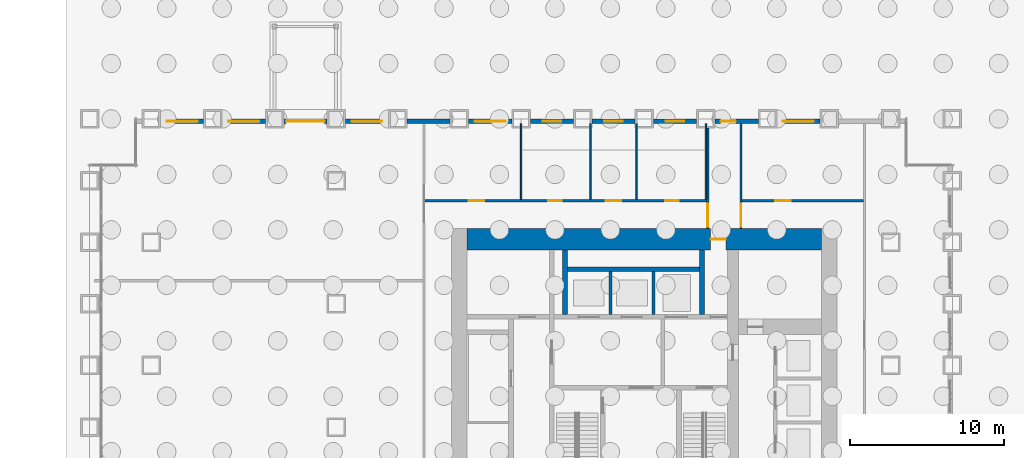
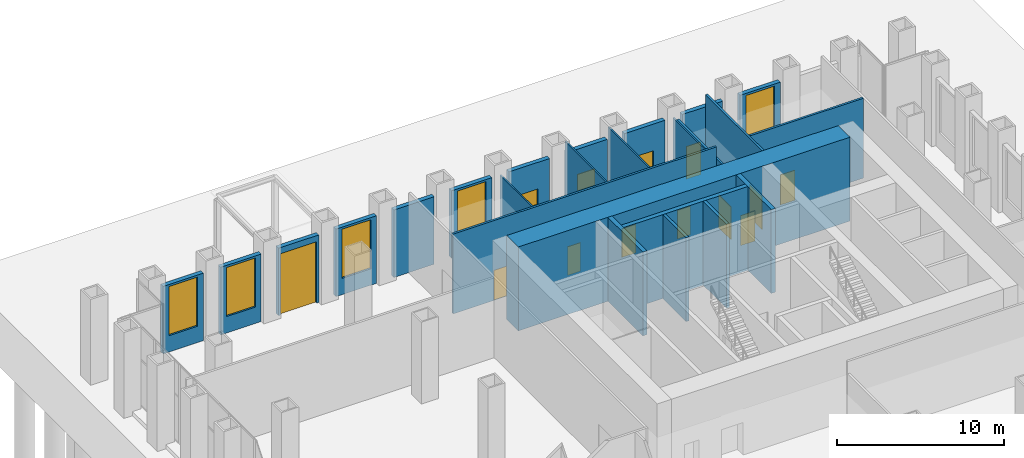
# One storey, part 14 of 17: 25 walls, 10 doors, 8 windows, 18 openings.
"""IFC4 building model written with IfcOpenShell, lengths in metres."""

import ifcopenshell
import ifcopenshell.guid

model = None  # the IFC model being written
_history = None  # IfcOwnerHistory: only IFC2X3 demands one
_inside = {}  # id of a spatial element -> (the spatial element, [elements in it])
_under = {}  # id of a project, library or spatial element -> (it, [spatial elements below it])
_declared = {}  # id of a project -> (the project, [libraries it declares])
_typed = {}  # id of a type object -> (the type object, [elements of that type])
_made_of = {}  # id of a material, layer set ... -> (it, [elements and type objects made of it])


def new_model(schema):
    """Start an empty IFC model of exactly this schema.

    Asked for "IFC4X3", IfcOpenShell would pick the latest addendum, in which some entities
    have other attributes; the version numbers below select the first issue.
    IFC2X3 requires an IfcOwnerHistory on every rooted entity: one is made here for all.
    """
    global model, _history
    if schema == "IFC4X3":
        model = ifcopenshell.file(schema_version=(4, 3, 0, 0))
    else:
        model = ifcopenshell.file(schema=schema)
    _inside.clear()
    _under.clear()
    _declared.clear()
    _typed.clear()
    _made_of.clear()
    _history = None
    if model.schema == "IFC2X3":
        org = make("IfcOrganization", Name="unknown")
        user = make(
            "IfcPersonAndOrganization",
            ThePerson=make("IfcPerson", FamilyName="unknown"),
            TheOrganization=org,
        )
        app = make(
            "IfcApplication",
            ApplicationDeveloper=org,
            Version="unknown",
            ApplicationFullName="unknown",
            ApplicationIdentifier="unknown",
        )
        _history = make(
            "IfcOwnerHistory",
            OwningUser=user,
            OwningApplication=app,
            ChangeAction="ADDED",
            CreationDate=0,
        )
    return model


def make(cls, **values):
    """One entity of the class cls with the attributes given. An attribute that is None is left unset."""
    return model.create_entity(
        cls, **{name: value for name, value in values.items() if value is not None}
    )


def rooted(cls, **values):
    """An entity with a GlobalId (a new one), such as an element, a storey or a relation."""
    return make(cls, GlobalId=ifcopenshell.guid.new(), OwnerHistory=_history, **values)


def si_unit(unit_type, name, prefix=None):
    """IfcSIUnit, for example si_unit("LENGTHUNIT", "METRE", prefix="MILLI")."""
    return make("IfcSIUnit", UnitType=unit_type, Prefix=prefix, Name=name)


def assignment(units):
    """IfcUnitAssignment: the units of a project."""
    return None if units is None else make("IfcUnitAssignment", Units=units)


def point(xyz):
    """IfcCartesianPoint."""
    return None if xyz is None else make("IfcCartesianPoint", Coordinates=xyz)


def direction(xyz):
    """IfcDirection."""
    return None if xyz is None else make("IfcDirection", DirectionRatios=xyz)


def frame(location, z_axis=None, x_axis=None):
    """IfcAxis2Placement3D, a coordinate frame: its origin and axes. An axis left out is left unset."""
    return make(
        "IfcAxis2Placement3D",
        Location=point(location),
        Axis=direction(z_axis),
        RefDirection=direction(x_axis),
    )


def frame_2d(location, x_axis=None):
    """IfcAxis2Placement2D, a coordinate frame in the plane: its origin and x axis."""
    return make(
        "IfcAxis2Placement2D", Location=point(location), RefDirection=direction(x_axis)
    )


def origin():
    """The frame at (0, 0, 0) with its axes left unset."""
    return frame((0.0, 0.0, 0.0))


def place(relative_to, where):
    """IfcLocalPlacement: puts the frame where relative to a parent placement (None: the world)."""
    return make(
        "IfcLocalPlacement", PlacementRelTo=relative_to, RelativePlacement=where
    )


def context(
    kind, dimensions, precision=None, world=None, true_north=None, identifier=None
):
    """IfcGeometricRepresentationContext, for example the 3D "Model" context."""
    return make(
        "IfcGeometricRepresentationContext",
        ContextIdentifier=identifier,
        ContextType=kind,
        CoordinateSpaceDimension=dimensions,
        Precision=precision,
        WorldCoordinateSystem=world,
        TrueNorth=true_north,
    )


def subcontext(parent, identifier, kind, view, scale=None):
    """IfcGeometricRepresentationSubContext, for example "Body" below "Model"."""
    return make(
        "IfcGeometricRepresentationSubContext",
        ContextIdentifier=identifier,
        ContextType=kind,
        ParentContext=parent,
        TargetScale=scale,
        TargetView=view,
    )


def project(units=None, contexts=None):
    """IfcProject with its units and contexts."""
    return rooted(
        "IfcProject",
        Name="project",
        RepresentationContexts=contexts,
        UnitsInContext=assignment(units),
    )


def spatial(cls, under=None, at=None, **own):
    """A site, building, storey or space (cls), placed at a placement, below another one or the project."""
    s = rooted(cls, ObjectPlacement=at, **own)
    if under is not None:
        _under.setdefault(under.id(), (under, []))[1].append(s)
    return s


def profile(cls, at=None, kind="AREA", **sizes):
    """A parametric profile (cls). Its sizes go by their IFC names, for example OverallWidth=200.0."""
    return make(cls, ProfileType=kind, Position=at, **sizes)


def rectangle(**sizes):
    """IfcRectangleProfileDef."""
    return profile("IfcRectangleProfileDef", **sizes)


def extrude(swept, where, along, depth):
    """IfcExtrudedAreaSolid: the profile swept, set in the frame where, extruded along a direction by depth."""
    return make(
        "IfcExtrudedAreaSolid",
        SweptArea=swept,
        Position=where,
        ExtrudedDirection=direction(along),
        Depth=depth,
    )


def shape(context_of_items, identifier, shape_type, items):
    """IfcShapeRepresentation: the items that make up one representation, for example the "Body"."""
    return make(
        "IfcShapeRepresentation",
        ContextOfItems=context_of_items,
        RepresentationIdentifier=identifier,
        RepresentationType=shape_type,
        Items=items,
    )


def material(Name=None, Category=None):
    """IfcMaterial."""
    return make("IfcMaterial", Name=Name, Category=Category)


def layer(
    of_material, thickness, ventilated=None, Name=None, Category=None, Priority=None
):
    """IfcMaterialLayer: one layer of a wall or slab, of a material (None: an air gap)."""
    return make(
        "IfcMaterialLayer",
        Material=of_material,
        LayerThickness=thickness,
        IsVentilated=ventilated,
        Name=Name,
        Category=Category,
        Priority=Priority,
    )


def layer_set(layers, Name=None):
    """IfcMaterialLayerSet."""
    return make("IfcMaterialLayerSet", MaterialLayers=layers, LayerSetName=Name)


def made_of(thing, what):
    """Note that an element or type object is made of a material, layer set ...; save() writes the relation."""
    if what is not None:
        _made_of.setdefault(what.id(), (what, []))[1].append(thing)
    return thing


def type_object(cls, material=None, **own):
    """A type object (cls), such as IfcWallType, which elements share."""
    return made_of(rooted(cls, **own), material)


def element(
    cls,
    number,
    at=None,
    inside=None,
    cuts=None,
    type_object=None,
    material=None,
    context=None,
    identifier="Body",
    shape_type=None,
    held_by="IfcProductDefinitionShape",
    body=None,
    shapes=None,
    **own,
):
    """One element of the class cls, such as IfcWall. Its Tag is "e" and its number.

    at: its placement. inside: the storey or other place that contains it. cuts: it is an
    opening in that element (IfcRelVoidsElement). A single representation is given by context,
    identifier, shape_type and body (its items); several are given by shapes. held_by: the class
    of the entity that holds the representations. save() writes the other relations.
    """
    e = rooted(cls, Tag="e%d" % number, ObjectPlacement=at, **own)
    if body is not None:
        shapes = [shape(context, identifier, shape_type, body)]
    if shapes is not None:
        e.Representation = make(held_by, Representations=shapes)
    if inside is not None:
        _inside.setdefault(inside.id(), (inside, []))[1].append(e)
    if cuts is not None:
        rooted(
            "IfcRelVoidsElement", RelatingBuildingElement=cuts, RelatedOpeningElement=e
        )
    if type_object is not None:
        _typed.setdefault(type_object.id(), (type_object, []))[1].append(e)
    return made_of(e, material)


def fill(opening, filler):
    """IfcRelFillsElement: the door or window that sits in an opening."""
    return rooted(
        "IfcRelFillsElement",
        RelatingOpeningElement=opening,
        RelatedBuildingElement=filler,
    )


def aggregate(whole, parts):
    """IfcRelAggregates: a whole, such as a stair, and the parts it consists of."""
    return rooted("IfcRelAggregates", RelatingObject=whole, RelatedObjects=parts)


def save(model, path):
    """Write the relations noted so far, then the file.

    IfcRelAggregates (storeys below a building ...), IfcRelContainedInSpatialStructure (elements
    in a storey), IfcRelDefinesByType, IfcRelAssociatesMaterial and IfcRelDeclares: one each for
    every whole, place, type object, material and project.
    """
    for whole, parts in _under.values():
        aggregate(whole, parts)
    for where, things in _inside.values():
        rooted(
            "IfcRelContainedInSpatialStructure",
            RelatedElements=things,
            RelatingStructure=where,
        )
    for kind, things in _typed.values():
        rooted("IfcRelDefinesByType", RelatedObjects=things, RelatingType=kind)
    for what, things in _made_of.values():
        rooted("IfcRelAssociatesMaterial", RelatedObjects=things, RelatingMaterial=what)
    for by, libraries in _declared.values():
        rooted("IfcRelDeclares", RelatingContext=by, RelatedDefinitions=libraries)
    model.write(path)


model = new_model("IFC4")

# Units and contexts
model_context = context("Model", 3, precision=1e-05, world=origin(), true_north=direction((0.0, 1.0)))
body_context = subcontext(model_context, "Body", "Model", "MODEL_VIEW")
ifc_project = project(units=[si_unit("LENGTHUNIT", "METRE"), si_unit("AREAUNIT", "SQUARE_METRE"), si_unit("VOLUMEUNIT", "CUBIC_METRE"), si_unit("PLANEANGLEUNIT", "RADIAN"), si_unit("MASSUNIT", "GRAM", prefix="KILO")], contexts=[model_context])

# Site, building, storey
site_placement = place(None, origin())
site = spatial("IfcSite", under=ifc_project, at=site_placement, CompositionType="ELEMENT")
building_placement = place(site_placement, origin())
building = spatial("IfcBuilding", under=site, at=building_placement, Name="Rimbunsela Tower", CompositionType="ELEMENT")
storey_placement = place(building_placement, origin())
storey = spatial("IfcBuildingStorey", under=building, at=storey_placement, Name="L00", CompositionType="ELEMENT", Elevation=0.0)

# Walls
ifc_material_1 = material(Name="Concrete fc' 80 MPa", Category="concrete")
ifc_layer_1 = layer(ifc_material_1, 0.300048828125)
ifc_layer_set_1 = layer_set([ifc_layer_1], Name="Core internal wall 300")
wall_type_1 = type_object("IfcWallType", Name="Core internal wall 300", PredefinedType="SHEAR", material=ifc_layer_set_1)
for number, where, z_axis, x_axis, name in (
    (1, (24.85009765625, 31.300048828125, -0.300048828125), (0.0, 0.0, 1.0), (0.0, 1.0, 0.0), "Riser wall"),
    (2, (33.75, 31.300048828125, -0.300048828125), (0.0, 0.0, 1.0), (0.0, 1.0, 0.0), "Riser wall"),
):
    element("IfcWall", number, at=place(storey_placement, frame(where, z_axis=z_axis, x_axis=x_axis)), inside=storey, type_object=wall_type_1, Name=name, PredefinedType="SHEAR", context=body_context, shape_type="SweptSolid", body=[
        extrude(rectangle(XDim=4.199951171875, YDim=0.300048828125, at=frame_2d((2.10009765625, 0.0))), origin(), (0.0, 0.0, 1.0), 6.150146484375),
    ])
wall_1_placement = place(storey_placement, frame((25.0, 34.25, -0.300048828125), z_axis=(0.0, 0.0, 1.0), x_axis=(1.0, 0.0, 0.0)))
element("IfcWall", 3, at=wall_1_placement, inside=storey, type_object=wall_type_1, Name="Lift shaft rear north", PredefinedType="SHEAR", context=body_context, shape_type="SweptSolid", body=[
    extrude(rectangle(XDim=8.60009765625, YDim=0.300048828125, at=frame_2d((4.300048828125, 0.0))), origin(), (0.0, 0.0, 1.0), 6.150146484375),
])

# Wall, opening, door
ifc_material_2 = material(Name="Concrete fc' 80 MPa", Category="concrete")
ifc_layer_2 = layer(ifc_material_2, 1.39990234375)
ifc_layer_set_2 = layer_set([ifc_layer_2], Name="Core wall 1400")
wall_type_2 = type_object("IfcWallType", Name="Core wall 1400", PredefinedType="SHEAR", material=ifc_layer_set_2)
wall_2_placement = place(storey_placement, frame((18.5, 36.199951171875, -0.300048828125), z_axis=(0.0, 0.0, 1.0), x_axis=(1.0, 0.0, 0.0)))
wall_2 = element("IfcWall", 4, at=wall_2_placement, inside=storey, type_object=wall_type_2, Name="Core wall north", PredefinedType="SHEAR", context=body_context, shape_type="SweptSolid", body=[
    extrude(rectangle(XDim=23.0, YDim=1.39990234375, at=frame_2d((11.5, 0.0))), origin(), (0.0, 0.0, 1.0), 6.150146484375),
])
opening_1_placement = place(wall_2_placement, frame((15.800048828125, 0.0, 0.300048828125)))
opening_1 = element("IfcOpeningElement", 5, at=opening_1_placement, cuts=wall_2, Name="Opening D01", PredefinedType="OPENING", context=body_context, shape_type="SweptSolid", body=[
    extrude(rectangle(XDim=1.0, YDim=2.199951171875, at=frame_2d((0.5, 1.10009765625))), frame((0.0, 0.7099609375, 0.0), z_axis=(0.0, -1.0, 0.0), x_axis=(1.0, 0.0, 0.0)), (0.0, 0.0, 1.0), 1.419921875),
])
ifc_material_3 = material(Name="Steel door, fire rated", Category="steel")
door_type_1 = type_object("IfcDoorType", Name="Stair door 1000", OperationType="SINGLE_SWING_RIGHT", PredefinedType="DOOR", material=ifc_material_3)
door_1_placement = place(opening_1_placement, origin())
door_1 = element("IfcDoor", 6, at=door_1_placement, inside=storey, type_object=door_type_1, Name="Exit passage door", OperationType="SINGLE_SWING_RIGHT", OverallHeight=2.199951171875, OverallWidth=1.0, PredefinedType="DOOR", context=body_context, shape_type="SweptSolid", body=[
    extrude(rectangle(XDim=1.0, YDim=2.199951171875, at=frame_2d((0.5, 1.10009765625))), frame((0.0, 0.02490234375, 0.0), z_axis=(0.0, -1.0, 0.0), x_axis=(1.0, 0.0, 0.0)), (0.0, 0.0, 1.0), 0.050048828125),
])
fill(opening_1, door_1)

# Wall, openings, doors
ifc_material_4 = material(Name="Gypsum board on steel studs", Category="steel")
ifc_layer_3 = layer(ifc_material_4, 0.14990234375)
ifc_layer_set_3 = layer_set([ifc_layer_3], Name="Corridor partition 150")
wall_type_3 = type_object("IfcWallType", Name="Corridor partition 150", PredefinedType="PARTITIONING", material=ifc_layer_set_3)
wall_3_placement = place(storey_placement, frame((15.77490234375, 38.699951171875, 0.0), z_axis=(0.0, 0.0, 1.0), x_axis=(1.0, 0.0, 0.0)))
wall_3 = element("IfcWall", 7, at=wall_3_placement, inside=storey, type_object=wall_type_3, Name="Lobby wall north", PredefinedType="PARTITIONING", context=body_context, shape_type="SweptSolid", body=[
    extrude(rectangle(XDim=18.275146484375, YDim=0.14990234375, at=frame_2d((9.1376953125, 0.0))), origin(), (0.0, 0.0, 1.0), 5.85009765625),
])
opening_2_placement = place(wall_3_placement, frame((2.824951171875, 0.0, 0.0)))
opening_2 = element("IfcOpeningElement", 8, at=opening_2_placement, cuts=wall_3, Name="Opening D06", PredefinedType="OPENING", context=body_context, shape_type="SweptSolid", body=[
    extrude(rectangle(XDim=1.0, YDim=2.199951171875, at=frame_2d((0.5, 1.10009765625))), frame((0.0, 0.0849609375, 0.0), z_axis=(0.0, -1.0, 0.0), x_axis=(1.0, 0.0, 0.0)), (0.0, 0.0, 1.0), 0.169921875),
])
opening_3_placement = place(wall_3_placement, frame((7.97509765625, 0.0, 0.0)))
opening_3 = element("IfcOpeningElement", 9, at=opening_3_placement, cuts=wall_3, Name="Opening D04", PredefinedType="OPENING", context=body_context, shape_type="SweptSolid", body=[
    extrude(rectangle(XDim=0.89990234375, YDim=2.10009765625, at=frame_2d((0.449951171875, 1.050048828125))), frame((0.0, 0.0849609375, 0.0), z_axis=(0.0, -1.0, 0.0), x_axis=(1.0, 0.0, 0.0)), (0.0, 0.0, 1.0), 0.169921875),
])
opening_4_placement = place(wall_3_placement, frame((11.72509765625, 0.0, 0.0)))
opening_4 = element("IfcOpeningElement", 10, at=opening_4_placement, cuts=wall_3, Name="Opening D05", PredefinedType="OPENING", context=body_context, shape_type="SweptSolid", body=[
    extrude(rectangle(XDim=1.0, YDim=2.10009765625, at=frame_2d((0.5, 1.050048828125))), frame((0.0, 0.0849609375, 0.0), z_axis=(0.0, -1.0, 0.0), x_axis=(1.0, 0.0, 0.0)), (0.0, 0.0, 1.0), 0.169921875),
])
opening_5_placement = place(wall_3_placement, frame((15.574951171875, 0.0, 0.0)))
opening_5 = element("IfcOpeningElement", 11, at=opening_5_placement, cuts=wall_3, Name="Opening D04", PredefinedType="OPENING", context=body_context, shape_type="SweptSolid", body=[
    extrude(rectangle(XDim=0.89990234375, YDim=2.10009765625, at=frame_2d((0.449951171875, 1.050048828125))), frame((0.0, 0.0849609375, 0.0), z_axis=(0.0, -1.0, 0.0), x_axis=(1.0, 0.0, 0.0)), (0.0, 0.0, 1.0), 0.169921875),
])
ifc_material_5 = material(Name="Timber door", Category="wood")
door_type_2 = type_object("IfcDoorType", Name="Accessible WC door 1000", OperationType="SLIDING_TO_LEFT", PredefinedType="DOOR", material=ifc_material_5)
door_2_placement = place(opening_4_placement, origin())
door_2 = element("IfcDoor", 12, at=door_2_placement, inside=storey, type_object=door_type_2, Name="Accessible WC door", OperationType="SLIDING_TO_LEFT", OverallHeight=2.10009765625, OverallWidth=1.0, PredefinedType="DOOR", context=body_context, shape_type="SweptSolid", body=[
    extrude(rectangle(XDim=1.0, YDim=2.10009765625, at=frame_2d((0.5, 1.050048828125))), frame((0.0, 0.02490234375, 0.0), z_axis=(0.0, -1.0, 0.0), x_axis=(1.0, 0.0, 0.0)), (0.0, 0.0, 1.0), 0.050048828125),
])
fill(opening_4, door_2)
ifc_material_6 = material(Name="Timber door", Category="wood")
door_type_3 = type_object("IfcDoorType", Name="Room door 1000", OperationType="SINGLE_SWING_LEFT", PredefinedType="DOOR", material=ifc_material_6)
door_3_placement = place(opening_2_placement, origin())
door_3 = element("IfcDoor", 13, at=door_3_placement, inside=storey, type_object=door_type_3, Name="Mail room door", OperationType="SINGLE_SWING_LEFT", OverallHeight=2.199951171875, OverallWidth=1.0, PredefinedType="DOOR", context=body_context, shape_type="SweptSolid", body=[
    extrude(rectangle(XDim=1.0, YDim=2.199951171875, at=frame_2d((0.5, 1.10009765625))), frame((0.0, 0.02490234375, 0.0), z_axis=(0.0, -1.0, 0.0), x_axis=(1.0, 0.0, 0.0)), (0.0, 0.0, 1.0), 0.050048828125),
])
fill(opening_2, door_3)
ifc_material_7 = material(Name="Timber door", Category="wood")
door_type_4 = type_object("IfcDoorType", Name="Toilet door 900", OperationType="SINGLE_SWING_LEFT", PredefinedType="DOOR", material=ifc_material_7)
door_4_placement = place(opening_3_placement, origin())
door_4 = element("IfcDoor", 14, at=door_4_placement, inside=storey, type_object=door_type_4, Name="Female WC door", OperationType="SINGLE_SWING_LEFT", OverallHeight=2.10009765625, OverallWidth=0.89990234375, PredefinedType="DOOR", context=body_context, shape_type="SweptSolid", body=[
    extrude(rectangle(XDim=0.89990234375, YDim=2.10009765625, at=frame_2d((0.449951171875, 1.050048828125))), frame((0.0, 0.02490234375, 0.0), z_axis=(0.0, -1.0, 0.0), x_axis=(1.0, 0.0, 0.0)), (0.0, 0.0, 1.0), 0.050048828125),
])
fill(opening_3, door_4)
door_5_placement = place(opening_5_placement, origin())
door_5 = element("IfcDoor", 15, at=door_5_placement, inside=storey, type_object=door_type_4, Name="Male WC door", OperationType="SINGLE_SWING_LEFT", OverallHeight=2.10009765625, OverallWidth=0.89990234375, PredefinedType="DOOR", context=body_context, shape_type="SweptSolid", body=[
    extrude(rectangle(XDim=0.89990234375, YDim=2.10009765625, at=frame_2d((0.449951171875, 1.050048828125))), frame((0.0, 0.02490234375, 0.0), z_axis=(0.0, -1.0, 0.0), x_axis=(1.0, 0.0, 0.0)), (0.0, 0.0, 1.0), 0.050048828125),
])
fill(opening_5, door_5)

# Wall, opening, door
wall_4_placement = place(storey_placement, frame((36.35009765625, 38.699951171875, 0.0), z_axis=(0.0, 0.0, 1.0), x_axis=(1.0, 0.0, 0.0)))
wall_4 = element("IfcWall", 16, at=wall_4_placement, inside=storey, type_object=wall_type_3, Name="Lobby wall north", PredefinedType="PARTITIONING", context=body_context, shape_type="SweptSolid", body=[
    extrude(rectangle(XDim=7.875, YDim=0.14990234375, at=frame_2d((3.9375, 0.0))), origin(), (0.0, 0.0, 1.0), 5.85009765625),
])
opening_6_placement = place(wall_4_placement, frame((2.14990234375, 0.0, 0.0)))
opening_6 = element("IfcOpeningElement", 17, at=opening_6_placement, cuts=wall_4, Name="Opening D06", PredefinedType="OPENING", context=body_context, shape_type="SweptSolid", body=[
    extrude(rectangle(XDim=1.0, YDim=2.199951171875, at=frame_2d((0.5, 1.10009765625))), frame((0.0, 0.0849609375, 0.0), z_axis=(0.0, -1.0, 0.0), x_axis=(1.0, 0.0, 0.0)), (0.0, 0.0, 1.0), 0.169921875),
])
door_6_placement = place(opening_6_placement, origin())
door_6 = element("IfcDoor", 18, at=door_6_placement, inside=storey, type_object=door_type_3, Name="Security office door", OperationType="SINGLE_SWING_LEFT", OverallHeight=2.199951171875, OverallWidth=1.0, PredefinedType="DOOR", context=body_context, shape_type="SweptSolid", body=[
    extrude(rectangle(XDim=1.0, YDim=2.199951171875, at=frame_2d((0.5, 1.10009765625))), frame((0.0, 0.02490234375, 0.0), z_axis=(0.0, -1.0, 0.0), x_axis=(1.0, 0.0, 0.0)), (0.0, 0.0, 1.0), 0.050048828125),
])
fill(opening_6, door_6)

wall_5_placement = place(storey_placement, frame((34.125, 36.89990234375, 0.0), z_axis=(0.0, 0.0, 1.0), x_axis=(0.0, 1.0, 0.0)))
wall_5 = element("IfcWall", 19, at=wall_5_placement, inside=storey, type_object=wall_type_3, Name="Exit passage wall", PredefinedType="PARTITIONING", context=body_context, shape_type="SweptSolid", body=[
    extrude(rectangle(XDim=6.5, YDim=0.14990234375, at=frame_2d((3.25, 0.0))), origin(), (0.0, 0.0, 1.0), 4.949951171875),
])
opening_7_placement = place(wall_5_placement, frame((0.112548828125, 0.0, 0.0)))
opening_7 = element("IfcOpeningElement", 20, at=opening_7_placement, cuts=wall_5, Name="Opening D03", PredefinedType="OPENING", context=body_context, shape_type="SweptSolid", body=[
    extrude(rectangle(XDim=1.5, YDim=2.39990234375, at=frame_2d((0.75, 1.199951171875))), frame((0.0, 0.0849609375, 0.0), z_axis=(0.0, -1.0, 0.0), x_axis=(1.0, 0.0, 0.0)), (0.0, 0.0, 1.0), 0.169921875),
])
ifc_material_8 = material(Name="Steel door, fire rated", Category="steel")
door_type_5 = type_object("IfcDoorType", Name="Core lobby door 1500", OperationType="DOUBLE_DOOR_DOUBLE_SWING", PredefinedType="DOOR", material=ifc_material_8)
door_7_placement = place(opening_7_placement, origin())
door_7 = element("IfcDoor", 21, at=door_7_placement, inside=storey, type_object=door_type_5, Name="Exit passage cross door", OperationType="DOUBLE_DOOR_DOUBLE_SWING", OverallHeight=2.39990234375, OverallWidth=1.5, PredefinedType="DOOR", context=body_context, shape_type="SweptSolid", body=[
    extrude(rectangle(XDim=1.5, YDim=2.39990234375, at=frame_2d((0.75, 1.199951171875))), frame((0.0, 0.02490234375, 0.0), z_axis=(0.0, -1.0, 0.0), x_axis=(1.0, 0.0, 0.0)), (0.0, 0.0, 1.0), 0.050048828125),
])
fill(opening_7, door_7)

wall_6_placement = place(storey_placement, frame((36.27490234375, 36.89990234375, 0.0), z_axis=(0.0, 0.0, 1.0), x_axis=(0.0, 1.0, 0.0)))
wall_6 = element("IfcWall", 22, at=wall_6_placement, inside=storey, type_object=wall_type_3, Name="Exit passage wall", PredefinedType="PARTITIONING", context=body_context, shape_type="SweptSolid", body=[
    extrude(rectangle(XDim=6.800048828125, YDim=0.14990234375, at=frame_2d((3.39990234375, 0.0))), origin(), (0.0, 0.0, 1.0), 5.85009765625),
])
opening_8_placement = place(wall_6_placement, frame((0.112548828125, 0.0, 0.0)))
opening_8 = element("IfcOpeningElement", 23, at=opening_8_placement, cuts=wall_6, Name="Opening D03", PredefinedType="OPENING", context=body_context, shape_type="SweptSolid", body=[
    extrude(rectangle(XDim=1.5, YDim=2.39990234375, at=frame_2d((0.75, 1.199951171875))), frame((0.0, 0.0849609375, 0.0), z_axis=(0.0, -1.0, 0.0), x_axis=(1.0, 0.0, 0.0)), (0.0, 0.0, 1.0), 0.169921875),
])
door_8_placement = place(opening_8_placement, origin())
door_8 = element("IfcDoor", 24, at=door_8_placement, inside=storey, type_object=door_type_5, Name="Exit passage cross door", OperationType="DOUBLE_DOOR_DOUBLE_SWING", OverallHeight=2.39990234375, OverallWidth=1.5, PredefinedType="DOOR", context=body_context, shape_type="SweptSolid", body=[
    extrude(rectangle(XDim=1.5, YDim=2.39990234375, at=frame_2d((0.75, 1.199951171875))), frame((0.0, 0.02490234375, 0.0), z_axis=(0.0, -1.0, 0.0), x_axis=(1.0, 0.0, 0.0)), (0.0, 0.0, 1.0), 0.050048828125),
])
fill(opening_8, door_8)

# Walls
ifc_material_9 = material(Name="Concrete blockwork", Category="masonry")
ifc_layer_4 = layer(ifc_material_9, 0.199951171875)
ifc_layer_set_4 = layer_set([ifc_layer_4], Name="Lift shaft wall 200")
wall_type_4 = type_object("IfcWallType", Name="Lift shaft wall 200", PredefinedType="SOLIDWALL", material=ifc_layer_set_4)
for number, where, z_axis, x_axis, name in (
    (25, (27.800048828125, 31.300048828125, -0.300048828125), (0.0, 0.0, 1.0), (0.0, 1.0, 0.0), "Lift shaft separation"),
    (26, (30.60009765625, 31.300048828125, -0.300048828125), (0.0, 0.0, 1.0), (0.0, 1.0, 0.0), "Lift shaft separation"),
):
    element("IfcWall", number, at=place(storey_placement, frame(where, z_axis=z_axis, x_axis=x_axis)), inside=storey, type_object=wall_type_4, Name=name, PredefinedType="SOLIDWALL", context=body_context, shape_type="SweptSolid", body=[
        extrude(rectangle(XDim=2.800048828125, YDim=0.199951171875, at=frame_2d((1.39990234375, 0.0))), origin(), (0.0, 0.0, 1.0), 6.150146484375),
    ])

# Wall, opening, window
ifc_material_10 = material(Name="Precast concrete fc' 35 MPa", Category="concrete")
ifc_layer_5 = layer(ifc_material_10, 0.300048828125)
ifc_layer_set_5 = layer_set([ifc_layer_5], Name="Precast concrete fc' 35 MPa")
wall_type_5 = type_object("IfcWallType", Name="Precast facade panel 300", PredefinedType="ELEMENTEDWALL", material=ifc_layer_set_5)
wall_7_placement = place(storey_placement, frame((1.39990234375, 43.85009765625, 0.0), z_axis=(0.0, 0.0, 1.0), x_axis=(-1.0, 0.0, 0.0)))
wall_7 = element("IfcWall", 27, at=wall_7_placement, inside=storey, type_object=wall_type_5, Name="Facade panel N L00", PredefinedType="ELEMENTEDWALL", context=body_context, shape_type="SweptSolid", body=[
    extrude(rectangle(XDim=2.7998046875, YDim=0.300048828125, at=frame_2d((1.39990234375, 0.0))), origin(), (0.0, 0.0, 1.0), 4.949951171875),
])
opening_9_placement = place(wall_7_placement, frame((0.39990234375, 0.0, 1.199951171875)))
opening_9 = element("IfcOpeningElement", 28, at=opening_9_placement, cuts=wall_7, Name="Opening W2", PredefinedType="OPENING", context=body_context, shape_type="SweptSolid", body=[
    extrude(rectangle(XDim=2.0, YDim=3.60009765625, at=frame_2d((1.0, 1.800048828125))), frame((0.0, 0.159912109375, 0.0), z_axis=(0.0, -1.0, 0.0), x_axis=(1.0, 0.0, 0.0)), (0.0, 0.0, 1.0), 0.320068359375),
])
ifc_material_11 = material(Name="Clear glass in aluminium frame", Category="aluminium")
window_type_1 = type_object("IfcWindowType", Name="Window W2 2000x3600", PartitioningType="SINGLE_PANEL", PredefinedType="WINDOW", material=ifc_material_11)
window_1_placement = place(opening_9_placement, origin())
window_1 = element("IfcWindow", 29, at=window_1_placement, inside=storey, type_object=window_type_1, Name="Window L00", OverallHeight=3.60009765625, OverallWidth=2.0, PartitioningType="SINGLE_PANEL", PredefinedType="WINDOW", context=body_context, shape_type="SweptSolid", body=[
    extrude(rectangle(XDim=2.0, YDim=3.60009765625, at=frame_2d((1.0, 1.800048828125))), frame((0.0, 0.030029296875, 0.0), z_axis=(0.0, -1.0, 0.0), x_axis=(1.0, 0.0, 0.0)), (0.0, 0.0, 1.0), 0.06005859375),
])
fill(opening_9, window_1)

wall_8_placement = place(storey_placement, frame((5.39990234375, 43.85009765625, 0.0), z_axis=(0.0, 0.0, 1.0), x_axis=(-1.0, 0.0, 0.0)))
wall_8 = element("IfcWall", 30, at=wall_8_placement, inside=storey, type_object=wall_type_5, Name="Facade panel N L00", PredefinedType="ELEMENTEDWALL", context=body_context, shape_type="SweptSolid", body=[
    extrude(rectangle(XDim=2.7998046875, YDim=0.300048828125, at=frame_2d((1.39990234375, 0.0))), origin(), (0.0, 0.0, 1.0), 4.949951171875),
])
opening_10_placement = place(wall_8_placement, frame((0.39990234375, 0.0, 1.199951171875)))
opening_10 = element("IfcOpeningElement", 31, at=opening_10_placement, cuts=wall_8, Name="Opening W2", PredefinedType="OPENING", context=body_context, shape_type="SweptSolid", body=[
    extrude(rectangle(XDim=2.0, YDim=3.60009765625, at=frame_2d((1.0, 1.800048828125))), frame((0.0, 0.159912109375, 0.0), z_axis=(0.0, -1.0, 0.0), x_axis=(1.0, 0.0, 0.0)), (0.0, 0.0, 1.0), 0.320068359375),
])
window_2_placement = place(opening_10_placement, origin())
window_2 = element("IfcWindow", 32, at=window_2_placement, inside=storey, type_object=window_type_1, Name="Window L00", OverallHeight=3.60009765625, OverallWidth=2.0, PartitioningType="SINGLE_PANEL", PredefinedType="WINDOW", context=body_context, shape_type="SweptSolid", body=[
    extrude(rectangle(XDim=2.0, YDim=3.60009765625, at=frame_2d((1.0, 1.800048828125))), frame((0.0, 0.030029296875, 0.0), z_axis=(0.0, -1.0, 0.0), x_axis=(1.0, 0.0, 0.0)), (0.0, 0.0, 1.0), 0.06005859375),
])
fill(opening_10, window_2)

# Wall, opening, door
wall_9_placement = place(storey_placement, frame((9.39990234375, 43.85009765625, 0.0), z_axis=(0.0, 0.0, 1.0), x_axis=(-1.0, 0.0, 0.0)))
wall_9 = element("IfcWall", 33, at=wall_9_placement, inside=storey, type_object=wall_type_5, Name="Facade panel N L00", PredefinedType="ELEMENTEDWALL", context=body_context, shape_type="SweptSolid", body=[
    extrude(rectangle(XDim=2.7998046875, YDim=0.300048828125, at=frame_2d((1.39990234375, 0.0))), origin(), (0.0, 0.0, 1.0), 4.949951171875),
])
opening_11_placement = place(wall_9_placement, frame((0.14990234375, 0.0, 0.0)))
opening_11 = element("IfcOpeningElement", 34, at=opening_11_placement, cuts=wall_9, Name="Opening RS1", PredefinedType="OPENING", context=body_context, shape_type="SweptSolid", body=[
    extrude(rectangle(XDim=2.5, YDim=4.5, at=frame_2d((1.25, 2.25))), frame((0.0, 0.159912109375, 0.0), z_axis=(0.0, -1.0, 0.0), x_axis=(1.0, 0.0, 0.0)), (0.0, 0.0, 1.0), 0.320068359375),
])
ifc_material_12 = material(Name="Steel roller shutter", Category="steel")
door_type_6 = type_object("IfcDoorType", Name="Loading shutter 2500", OperationType="USERDEFINED", PredefinedType="DOOR", material=ifc_material_12)
door_9_placement = place(opening_11_placement, origin())
door_9 = element("IfcDoor", 35, at=door_9_placement, inside=storey, type_object=door_type_6, Name="Loading bay shutter", OperationType="USERDEFINED", OverallHeight=4.5, OverallWidth=2.5, PredefinedType="DOOR", context=body_context, shape_type="SweptSolid", body=[
    extrude(rectangle(XDim=2.5, YDim=4.5, at=frame_2d((1.25, 2.25))), frame((0.0, 0.02490234375, 0.0), z_axis=(0.0, -1.0, 0.0), x_axis=(1.0, 0.0, 0.0)), (0.0, 0.0, 1.0), 0.050048828125),
])
fill(opening_11, door_9)

# Wall, opening, window
wall_10_placement = place(storey_placement, frame((13.39990234375, 43.85009765625, 0.0), z_axis=(0.0, 0.0, 1.0), x_axis=(-1.0, 0.0, 0.0)))
wall_10 = element("IfcWall", 36, at=wall_10_placement, inside=storey, type_object=wall_type_5, Name="Facade panel N L00", PredefinedType="ELEMENTEDWALL", context=body_context, shape_type="SweptSolid", body=[
    extrude(rectangle(XDim=2.7998046875, YDim=0.300048828125, at=frame_2d((1.39990234375, 0.0))), origin(), (0.0, 0.0, 1.0), 4.949951171875),
])
opening_12_placement = place(wall_10_placement, frame((0.39990234375, 0.0, 1.199951171875)))
opening_12 = element("IfcOpeningElement", 37, at=opening_12_placement, cuts=wall_10, Name="Opening W2", PredefinedType="OPENING", context=body_context, shape_type="SweptSolid", body=[
    extrude(rectangle(XDim=2.0, YDim=3.60009765625, at=frame_2d((1.0, 1.800048828125))), frame((0.0, 0.159912109375, 0.0), z_axis=(0.0, -1.0, 0.0), x_axis=(1.0, 0.0, 0.0)), (0.0, 0.0, 1.0), 0.320068359375),
])
window_3_placement = place(opening_12_placement, origin())
window_3 = element("IfcWindow", 38, at=window_3_placement, inside=storey, type_object=window_type_1, Name="Window L00", OverallHeight=3.60009765625, OverallWidth=2.0, PartitioningType="SINGLE_PANEL", PredefinedType="WINDOW", context=body_context, shape_type="SweptSolid", body=[
    extrude(rectangle(XDim=2.0, YDim=3.60009765625, at=frame_2d((1.0, 1.800048828125))), frame((0.0, 0.030029296875, 0.0), z_axis=(0.0, -1.0, 0.0), x_axis=(1.0, 0.0, 0.0)), (0.0, 0.0, 1.0), 0.06005859375),
])
fill(opening_12, window_3)

# Wall
wall_11_placement = place(storey_placement, frame((17.39990234375, 43.85009765625, 0.0), z_axis=(0.0, 0.0, 1.0), x_axis=(-1.0, 0.0, 0.0)))
element("IfcWall", 39, at=wall_11_placement, inside=storey, type_object=wall_type_5, Name="Facade panel N L00", PredefinedType="ELEMENTEDWALL", context=body_context, shape_type="SweptSolid", body=[
    extrude(rectangle(XDim=2.7998046875, YDim=0.300048828125, at=frame_2d((1.39990234375, 0.0))), origin(), (0.0, 0.0, 1.0), 4.949951171875),
])

# Wall, opening, window
wall_12_placement = place(storey_placement, frame((21.39990234375, 43.85009765625, 0.0), z_axis=(0.0, 0.0, 1.0), x_axis=(-1.0, 0.0, 0.0)))
wall_12 = element("IfcWall", 40, at=wall_12_placement, inside=storey, type_object=wall_type_5, Name="Facade panel N L00", PredefinedType="ELEMENTEDWALL", context=body_context, shape_type="SweptSolid", body=[
    extrude(rectangle(XDim=2.7998046875, YDim=0.300048828125, at=frame_2d((1.39990234375, 0.0))), origin(), (0.0, 0.0, 1.0), 4.949951171875),
])
opening_13_placement = place(wall_12_placement, frame((0.39990234375, 0.0, 1.199951171875)))
opening_13 = element("IfcOpeningElement", 41, at=opening_13_placement, cuts=wall_12, Name="Opening W2", PredefinedType="OPENING", context=body_context, shape_type="SweptSolid", body=[
    extrude(rectangle(XDim=2.0, YDim=3.60009765625, at=frame_2d((1.0, 1.800048828125))), frame((0.0, 0.159912109375, 0.0), z_axis=(0.0, -1.0, 0.0), x_axis=(1.0, 0.0, 0.0)), (0.0, 0.0, 1.0), 0.320068359375),
])
window_4_placement = place(opening_13_placement, origin())
window_4 = element("IfcWindow", 42, at=window_4_placement, inside=storey, type_object=window_type_1, Name="Window L00", OverallHeight=3.60009765625, OverallWidth=2.0, PartitioningType="SINGLE_PANEL", PredefinedType="WINDOW", context=body_context, shape_type="SweptSolid", body=[
    extrude(rectangle(XDim=2.0, YDim=3.60009765625, at=frame_2d((1.0, 1.800048828125))), frame((0.0, 0.030029296875, 0.0), z_axis=(0.0, -1.0, 0.0), x_axis=(1.0, 0.0, 0.0)), (0.0, 0.0, 1.0), 0.06005859375),
])
fill(opening_13, window_4)

wall_13_placement = place(storey_placement, frame((25.39990234375, 43.85009765625, 0.0), z_axis=(0.0, 0.0, 1.0), x_axis=(-1.0, 0.0, 0.0)))
wall_13 = element("IfcWall", 43, at=wall_13_placement, inside=storey, type_object=wall_type_5, Name="Facade panel N L00", PredefinedType="ELEMENTEDWALL", context=body_context, shape_type="SweptSolid", body=[
    extrude(rectangle(XDim=2.7998046875, YDim=0.300048828125, at=frame_2d((1.39990234375, 0.0))), origin(), (0.0, 0.0, 1.0), 4.949951171875),
])
opening_14_placement = place(wall_13_placement, frame((0.800048828125, 0.0, 1.800048828125)))
opening_14 = element("IfcOpeningElement", 44, at=opening_14_placement, cuts=wall_13, Name="Opening W4", PredefinedType="OPENING", context=body_context, shape_type="SweptSolid", body=[
    extrude(rectangle(XDim=1.199951171875, YDim=1.199951171875, at=frame_2d((0.60009765625, 0.60009765625))), frame((0.0, 0.159912109375, 0.0), z_axis=(0.0, -1.0, 0.0), x_axis=(1.0, 0.0, 0.0)), (0.0, 0.0, 1.0), 0.320068359375),
])
ifc_material_13 = material(Name="Obscured glass in aluminium frame", Category="aluminium")
window_type_2 = type_object("IfcWindowType", Name="Window W4 1200x1200 obscured", PartitioningType="SINGLE_PANEL", PredefinedType="WINDOW", material=ifc_material_13)
window_5_placement = place(opening_14_placement, origin())
window_5 = element("IfcWindow", 45, at=window_5_placement, inside=storey, type_object=window_type_2, Name="Window L00", OverallHeight=1.199951171875, OverallWidth=1.199951171875, PartitioningType="SINGLE_PANEL", PredefinedType="WINDOW", context=body_context, shape_type="SweptSolid", body=[
    extrude(rectangle(XDim=1.199951171875, YDim=1.199951171875, at=frame_2d((0.60009765625, 0.60009765625))), frame((0.0, 0.030029296875, 0.0), z_axis=(0.0, -1.0, 0.0), x_axis=(1.0, 0.0, 0.0)), (0.0, 0.0, 1.0), 0.06005859375),
])
fill(opening_14, window_5)

wall_14_placement = place(storey_placement, frame((29.39990234375, 43.85009765625, 0.0), z_axis=(0.0, 0.0, 1.0), x_axis=(-1.0, 0.0, 0.0)))
wall_14 = element("IfcWall", 46, at=wall_14_placement, inside=storey, type_object=wall_type_5, Name="Facade panel N L00", PredefinedType="ELEMENTEDWALL", context=body_context, shape_type="SweptSolid", body=[
    extrude(rectangle(XDim=2.7998046875, YDim=0.300048828125, at=frame_2d((1.39990234375, 0.0))), origin(), (0.0, 0.0, 1.0), 4.949951171875),
])
opening_15_placement = place(wall_14_placement, frame((0.800048828125, 0.0, 1.800048828125)))
opening_15 = element("IfcOpeningElement", 47, at=opening_15_placement, cuts=wall_14, Name="Opening W4", PredefinedType="OPENING", context=body_context, shape_type="SweptSolid", body=[
    extrude(rectangle(XDim=1.199951171875, YDim=1.199951171875, at=frame_2d((0.60009765625, 0.60009765625))), frame((0.0, 0.159912109375, 0.0), z_axis=(0.0, -1.0, 0.0), x_axis=(1.0, 0.0, 0.0)), (0.0, 0.0, 1.0), 0.320068359375),
])
window_6_placement = place(opening_15_placement, origin())
window_6 = element("IfcWindow", 48, at=window_6_placement, inside=storey, type_object=window_type_2, Name="Window L00", OverallHeight=1.199951171875, OverallWidth=1.199951171875, PartitioningType="SINGLE_PANEL", PredefinedType="WINDOW", context=body_context, shape_type="SweptSolid", body=[
    extrude(rectangle(XDim=1.199951171875, YDim=1.199951171875, at=frame_2d((0.60009765625, 0.60009765625))), frame((0.0, 0.030029296875, 0.0), z_axis=(0.0, -1.0, 0.0), x_axis=(1.0, 0.0, 0.0)), (0.0, 0.0, 1.0), 0.06005859375),
])
fill(opening_15, window_6)

wall_15_placement = place(storey_placement, frame((33.39990234375, 43.85009765625, 0.0), z_axis=(0.0, 0.0, 1.0), x_axis=(-1.0, 0.0, 0.0)))
wall_15 = element("IfcWall", 49, at=wall_15_placement, inside=storey, type_object=wall_type_5, Name="Facade panel N L00", PredefinedType="ELEMENTEDWALL", context=body_context, shape_type="SweptSolid", body=[
    extrude(rectangle(XDim=2.7998046875, YDim=0.300048828125, at=frame_2d((1.39990234375, 0.0))), origin(), (0.0, 0.0, 1.0), 4.949951171875),
])
opening_16_placement = place(wall_15_placement, frame((0.800048828125, 0.0, 1.800048828125)))
opening_16 = element("IfcOpeningElement", 50, at=opening_16_placement, cuts=wall_15, Name="Opening W4", PredefinedType="OPENING", context=body_context, shape_type="SweptSolid", body=[
    extrude(rectangle(XDim=1.199951171875, YDim=1.199951171875, at=frame_2d((0.60009765625, 0.60009765625))), frame((0.0, 0.159912109375, 0.0), z_axis=(0.0, -1.0, 0.0), x_axis=(1.0, 0.0, 0.0)), (0.0, 0.0, 1.0), 0.320068359375),
])
window_7_placement = place(opening_16_placement, origin())
window_7 = element("IfcWindow", 51, at=window_7_placement, inside=storey, type_object=window_type_2, Name="Window L00", OverallHeight=1.199951171875, OverallWidth=1.199951171875, PartitioningType="SINGLE_PANEL", PredefinedType="WINDOW", context=body_context, shape_type="SweptSolid", body=[
    extrude(rectangle(XDim=1.199951171875, YDim=1.199951171875, at=frame_2d((0.60009765625, 0.60009765625))), frame((0.0, 0.030029296875, 0.0), z_axis=(0.0, -1.0, 0.0), x_axis=(1.0, 0.0, 0.0)), (0.0, 0.0, 1.0), 0.06005859375),
])
fill(opening_16, window_7)

# Wall, opening, door
wall_16_placement = place(storey_placement, frame((37.39990234375, 43.85009765625, 0.0), z_axis=(0.0, 0.0, 1.0), x_axis=(-1.0, 0.0, 0.0)))
wall_16 = element("IfcWall", 52, at=wall_16_placement, inside=storey, type_object=wall_type_5, Name="Facade panel N L00", PredefinedType="ELEMENTEDWALL", context=body_context, shape_type="SweptSolid", body=[
    extrude(rectangle(XDim=2.7998046875, YDim=0.300048828125, at=frame_2d((1.39990234375, 0.0))), origin(), (0.0, 0.0, 1.0), 4.949951171875),
])
opening_17_placement = place(wall_16_placement, frame((1.449951171875, 0.0, 0.0)))
opening_17 = element("IfcOpeningElement", 53, at=opening_17_placement, cuts=wall_16, Name="Opening XD1", PredefinedType="OPENING", context=body_context, shape_type="SweptSolid", body=[
    extrude(rectangle(XDim=1.0, YDim=2.39990234375, at=frame_2d((0.5, 1.199951171875))), frame((0.0, 0.159912109375, 0.0), z_axis=(0.0, -1.0, 0.0), x_axis=(1.0, 0.0, 0.0)), (0.0, 0.0, 1.0), 0.320068359375),
])
ifc_material_14 = material(Name="Steel door", Category="steel")
door_type_7 = type_object("IfcDoorType", Name="External door 1000", OperationType="SINGLE_SWING_RIGHT", PredefinedType="DOOR", material=ifc_material_14)
door_10_placement = place(opening_17_placement, frame((1.0, 0.0, 0.0), z_axis=(0.0, 0.0, 1.0), x_axis=(-1.0, 0.0, 0.0)))
door_10 = element("IfcDoor", 54, at=door_10_placement, inside=storey, type_object=door_type_7, Name="Exit passage final exit door", OperationType="SINGLE_SWING_RIGHT", OverallHeight=2.39990234375, OverallWidth=1.0, PredefinedType="DOOR", context=body_context, shape_type="SweptSolid", body=[
    extrude(rectangle(XDim=1.0, YDim=2.39990234375, at=frame_2d((0.5, 1.199951171875))), frame((0.0, 0.02490234375, 0.0), z_axis=(0.0, -1.0, 0.0), x_axis=(1.0, 0.0, 0.0)), (0.0, 0.0, 1.0), 0.050048828125),
])
fill(opening_17, door_10)

# Wall, opening, window
wall_17_placement = place(storey_placement, frame((41.39990234375, 43.85009765625, 0.0), z_axis=(0.0, 0.0, 1.0), x_axis=(-1.0, 0.0, 0.0)))
wall_17 = element("IfcWall", 55, at=wall_17_placement, inside=storey, type_object=wall_type_5, Name="Facade panel N L00", PredefinedType="ELEMENTEDWALL", context=body_context, shape_type="SweptSolid", body=[
    extrude(rectangle(XDim=2.7998046875, YDim=0.300048828125, at=frame_2d((1.39990234375, 0.0))), origin(), (0.0, 0.0, 1.0), 4.949951171875),
])
opening_18_placement = place(wall_17_placement, frame((0.39990234375, 0.0, 1.199951171875)))
opening_18 = element("IfcOpeningElement", 56, at=opening_18_placement, cuts=wall_17, Name="Opening W2", PredefinedType="OPENING", context=body_context, shape_type="SweptSolid", body=[
    extrude(rectangle(XDim=2.0, YDim=3.60009765625, at=frame_2d((1.0, 1.800048828125))), frame((0.0, 0.159912109375, 0.0), z_axis=(0.0, -1.0, 0.0), x_axis=(1.0, 0.0, 0.0)), (0.0, 0.0, 1.0), 0.320068359375),
])
window_8_placement = place(opening_18_placement, origin())
window_8 = element("IfcWindow", 57, at=window_8_placement, inside=storey, type_object=window_type_1, Name="Window L00", OverallHeight=3.60009765625, OverallWidth=2.0, PartitioningType="SINGLE_PANEL", PredefinedType="WINDOW", context=body_context, shape_type="SweptSolid", body=[
    extrude(rectangle(XDim=2.0, YDim=3.60009765625, at=frame_2d((1.0, 1.800048828125))), frame((0.0, 0.030029296875, 0.0), z_axis=(0.0, -1.0, 0.0), x_axis=(1.0, 0.0, 0.0)), (0.0, 0.0, 1.0), 0.06005859375),
])
fill(opening_18, window_8)

# Walls
ifc_material_15 = material(Name="Concrete blockwork", Category="masonry")
ifc_layer_6 = layer(ifc_material_15, 0.10009765625)
ifc_layer_set_6 = layer_set([ifc_layer_6], Name="Toilet partition 100")
wall_type_6 = type_object("IfcWallType", Name="Toilet partition 100", PredefinedType="PARTITIONING", material=ifc_layer_set_6)
wall_18_placement = place(storey_placement, frame((22.0, 38.77490234375, 0.0), z_axis=(0.0, 0.0, 1.0), x_axis=(0.0, 1.0, 0.0)))
element("IfcWall", 58, at=wall_18_placement, inside=storey, type_object=wall_type_6, Name="Toilet partition", PredefinedType="PARTITIONING", context=body_context, shape_type="SweptSolid", body=[
    extrude(rectangle(XDim=4.925048828125, YDim=0.10009765625, at=frame_2d((2.46240234375, 0.0))), origin(), (0.0, 0.0, 1.0), 4.949951171875),
])
for number, where, z_axis, x_axis, name in (
    (59, (26.5, 38.77490234375, 0.0), (0.0, 0.0, 1.0), (0.0, 1.0, 0.0), "Toilet partition"),
    (60, (29.5, 38.77490234375, 0.0), (0.0, 0.0, 1.0), (0.0, 1.0, 0.0), "Toilet partition"),
):
    element("IfcWall", number, at=place(storey_placement, frame(where, z_axis=z_axis, x_axis=x_axis)), inside=storey, type_object=wall_type_6, Name=name, PredefinedType="PARTITIONING", context=body_context, shape_type="SweptSolid", body=[
        extrude(rectangle(XDim=4.925048828125, YDim=0.10009765625, at=frame_2d((2.46240234375, 0.0))), origin(), (0.0, 0.0, 1.0), 5.85009765625),
    ])
wall_19_placement = place(storey_placement, frame((34.0, 38.77490234375, 0.0), z_axis=(0.0, 0.0, 1.0), x_axis=(0.0, 1.0, 0.0)))
element("IfcWall", 61, at=wall_19_placement, inside=storey, type_object=wall_type_6, Name="Toilet partition", PredefinedType="PARTITIONING", context=body_context, shape_type="SweptSolid", body=[
    extrude(rectangle(XDim=4.925048828125, YDim=0.10009765625, at=frame_2d((2.46240234375, 0.0))), origin(), (0.0, 0.0, 1.0), 4.949951171875),
])

save(model, "model.ifc")
